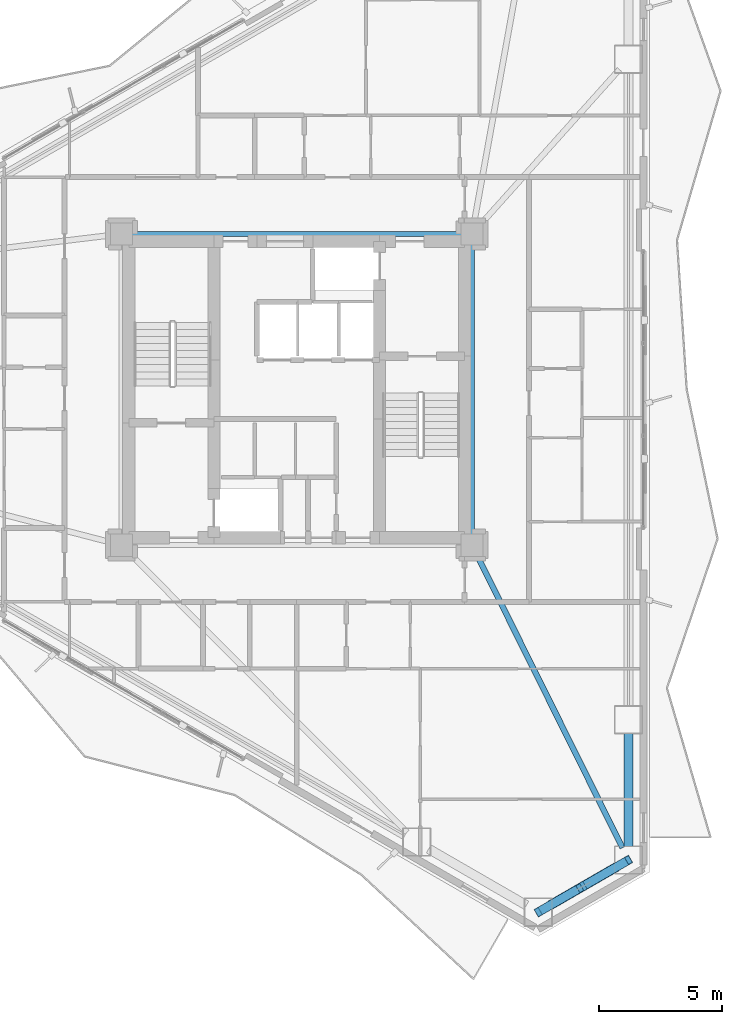
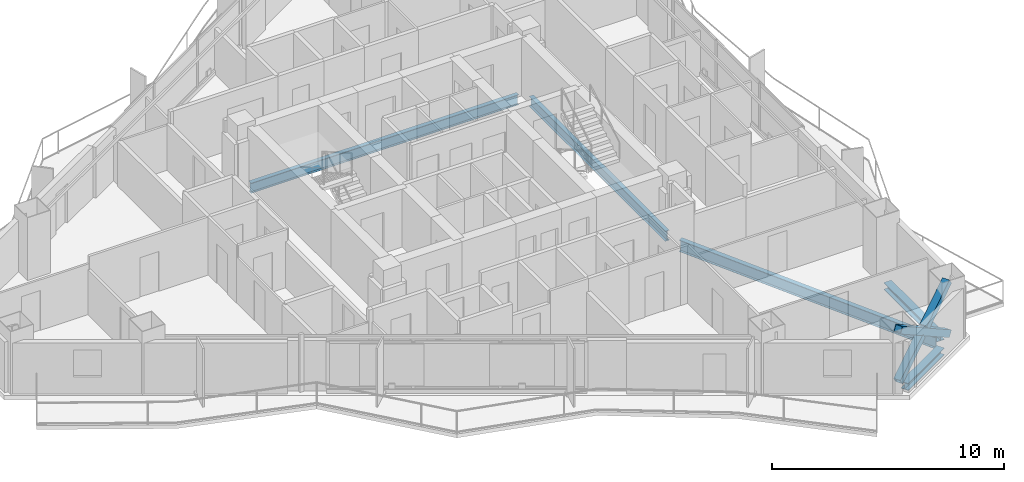
# One storey, part 7 of 22: 5 beams, 3 members.
"""IFC4 building model written with IfcOpenShell, lengths in metres."""

from ifc_helpers import new_model, si_unit, direction, frame, origin, origin_2d, place, context, subcontext, project, spatial, hollow_rectangle, i_section, extrude, material, material_profile, profile_set, type_object, element, save


model = new_model("IFC4")

# Units and contexts
model_context = context("Model", 3, precision=1e-05, world=origin(), true_north=direction((0.0, 1.0)))
body_context = subcontext(model_context, "Body", "Model", "MODEL_VIEW")
ifc_project = project(units=[si_unit("LENGTHUNIT", "METRE"), si_unit("AREAUNIT", "SQUARE_METRE"), si_unit("VOLUMEUNIT", "CUBIC_METRE"), si_unit("PLANEANGLEUNIT", "RADIAN"), si_unit("MASSUNIT", "GRAM", prefix="KILO")], contexts=[model_context])

# Site, building, storey
site_placement = place(None, origin())
site = spatial("IfcSite", under=ifc_project, at=site_placement, CompositionType="ELEMENT")
building_placement = place(site_placement, origin())
building = spatial("IfcBuilding", under=site, at=building_placement, Name="Mersakhor Tower and Convention Hall", CompositionType="ELEMENT")
storey_placement = place(building_placement, frame((0.0, 0.0, 76.800048828125)))
storey = spatial("IfcBuildingStorey", under=building, at=storey_placement, Name="L20", CompositionType="ELEMENT", Elevation=76.800048828125)

# Beams
ifc_material_1 = material(Name="Steel S355", Category="steel")
ifc_material_profile_1 = material_profile(ifc_material_1, i_section(OverallWidth=0.2099609375, OverallDepth=0.53662109375, WebThickness=0.0107421875, FlangeThickness=0.017333984375, at=origin_2d()), Name="UB 533x210x101")
ifc_profile_set_1 = profile_set([ifc_material_profile_1], Name="Steel S355")
beam_type_1 = type_object("IfcBeamType", Name="BM-FB-533", PredefinedType="BEAM", material=ifc_profile_set_1)
beam_1_placement = place(storey_placement, frame((22.330078125, 33.050048828125, -0.5185546875), z_axis=(1.0, 0.0, 0.0), x_axis=(0.0, 1.0, 0.0)))
element("IfcBeam", 1, at=beam_1_placement, inside=storey, type_object=beam_type_1, Name="L20 Core Ring Tie Beam CRB-2", PredefinedType="BEAM", context=body_context, shape_type="SweptSolid", body=[
    extrude(i_section(OverallWidth=0.2099609375, OverallDepth=0.53662109375, WebThickness=0.0107421875, FlangeThickness=0.017333984375, at=origin_2d()), origin(), (0.0, 0.0, 1.0), 13.33984375),
])
beam_2_placement = place(storey_placement, frame((36.10009765625, 32.6201171875, -0.5185546875), z_axis=(0.0, -1.0, 0.0), x_axis=(1.0, 0.0, 0.0)))
element("IfcBeam", 2, at=beam_2_placement, inside=storey, type_object=beam_type_1, Name="L20 Core Ring Tie Beam CRB-3", PredefinedType="BEAM", context=body_context, shape_type="SweptSolid", body=[
    extrude(i_section(OverallWidth=0.2099609375, OverallDepth=0.53662109375, WebThickness=0.0107421875, FlangeThickness=0.017333984375, at=origin_2d()), origin(), (0.0, 0.0, 1.0), 11.740234375),
])
ifc_material_2 = material(Name="Steel S355", Category="steel")
ifc_material_profile_2 = material_profile(ifc_material_2, i_section(OverallWidth=0.22900390625, OverallDepth=0.6123046875, WebThickness=0.011962890625, FlangeThickness=0.01953125, at=origin_2d()), Name="UB 610x229x125")
ifc_profile_set_2 = profile_set([ifc_material_profile_2], Name="Steel S355")
beam_type_2 = type_object("IfcBeamType", Name="BM-PR-610", PredefinedType="BEAM", material=ifc_profile_set_2)
beam_3_placement = place(storey_placement, frame((36.291259765625, 20.06494140625, -0.55615234375), z_axis=(0.444993792004, -0.895533653794, 0.0), x_axis=(0.895533653794, 0.444993792004, 0.0)))
element("IfcBeam", 3, at=beam_3_placement, inside=storey, type_object=beam_type_2, Name="L20 Primary Floor Girder FG-4", PredefinedType="BEAM", context=body_context, shape_type="SweptSolid", body=[
    extrude(i_section(OverallWidth=0.22900390625, OverallDepth=0.6123046875, WebThickness=0.011962890625, FlangeThickness=0.01953125, at=origin_2d()), origin(), (0.0, 0.0, 1.0), 13.250244140625),
])
ifc_material_3 = material(Name="Steel S355", Category="steel")
ifc_material_profile_3 = material_profile(ifc_material_3, i_section(OverallWidth=0.374755859375, OverallDepth=0.37451171875, WebThickness=0.0166015625, FlangeThickness=0.027099609375, at=origin_2d()), Name="UC 356x368x202")
ifc_profile_set_3 = profile_set([ifc_material_profile_3], Name="Steel S355")
beam_type_3 = type_object("IfcBeamType", Name="BM-SPD-UC356", PredefinedType="SPANDREL", material=ifc_profile_set_3)
beam_4_placement = place(storey_placement, frame((42.4345703125, 12.8232421875, -0.437255859375), z_axis=(0.0, -1.0, 0.0), x_axis=(1.0, 0.0, 0.0)))
element("IfcBeam", 4, at=beam_4_placement, inside=storey, type_object=beam_type_3, Name="L20 Perimeter Spandrel Beam SPB-07", PredefinedType="SPANDREL", context=body_context, shape_type="SweptSolid", body=[
    extrude(i_section(OverallWidth=0.374755859375, OverallDepth=0.37451171875, WebThickness=0.0166015625, FlangeThickness=0.027099609375, at=origin_2d()), origin(), (0.0, 0.0, 1.0), 4.566162109375),
])
beam_5_placement = place(storey_placement, frame((41.9541015625, 7.424560546875, -0.437255859375), z_axis=(-0.866052319632, -0.499953377486, 0.0), x_axis=(0.499953377486, -0.866052319632, 0.0)))
element("IfcBeam", 5, at=beam_5_placement, inside=storey, type_object=beam_type_3, Name="L20 Perimeter Spandrel Beam SPB-08", PredefinedType="SPANDREL", context=body_context, shape_type="SweptSolid", body=[
    extrude(i_section(OverallWidth=0.374755859375, OverallDepth=0.37451171875, WebThickness=0.0166015625, FlangeThickness=0.027099609375, at=origin_2d()), origin(), (0.0, 0.0, 1.0), 3.111572265625),
])

# Members
ifc_material_4 = material(Name="Steel S460", Category="steel")
ifc_material_profile_4 = material_profile(ifc_material_4, hollow_rectangle(XDim=0.35009765625, YDim=0.35009765625, WallThickness=0.02001953125, at=origin_2d()), Name="SHS 350x350x20")
ifc_profile_set_4 = profile_set([ifc_material_profile_4], Name="Steel S460")
member_type = type_object("IfcMemberType", Name="MB-BRC-SHS350", PredefinedType="BRACE", material=ifc_profile_set_4)
member_placement = place(storey_placement, frame((42.4345703125, 7.701904296875, 0.14990234375), z_axis=(-0.725633725484, -0.418933054415, 0.545848689986), x_axis=(0.49998946241, -0.866031487579, 0.0)))
element("IfcMember", 6, at=member_placement, inside=storey, type_object=member_type, Name="L20 Chamfer Braced Frame Diagonal CB-2A", PredefinedType="BRACE", context=body_context, shape_type="SweptSolid", body=[
    extrude(hollow_rectangle(XDim=0.35009765625, YDim=0.35009765625, WallThickness=0.02001953125, at=origin_2d()), origin(), (0.0, 0.0, 1.0), 5.0380859375),
])
for number, where, z_axis, x_axis, name in (
    (7, (38.77880859375, 5.59130859375, 0.14990234375), (0.725593346201, 0.41889491121, 0.545931634283), (-0.499976186015, 0.866039152359, 0.0), "L20 Chamfer Braced Frame Diagonal CB-2B Lower Half"),
    (8, (40.751220703125, 6.730224609375, 1.6337890625), (0.725684866011, 0.418886985747, 0.545816057307), (-0.499921796684, 0.866070549782, 0.0), "L20 Chamfer Braced Frame Diagonal CB-2B Upper Half"),
):
    element("IfcMember", number, at=place(storey_placement, frame(where, z_axis=z_axis, x_axis=x_axis)), inside=storey, type_object=member_type, Name=name, PredefinedType="BRACE", context=body_context, shape_type="SweptSolid", body=[
        extrude(hollow_rectangle(XDim=0.35009765625, YDim=0.35009765625, WallThickness=0.02001953125, at=origin_2d()), origin(), (0.0, 0.0, 1.0), 2.319580078125),
    ])

save(model, "model.ifc")
